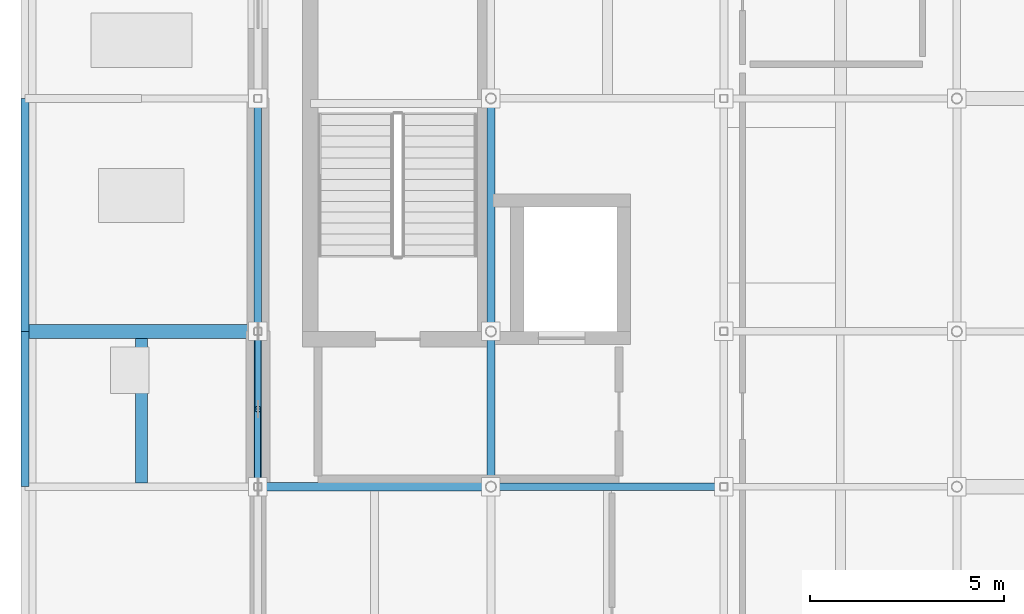
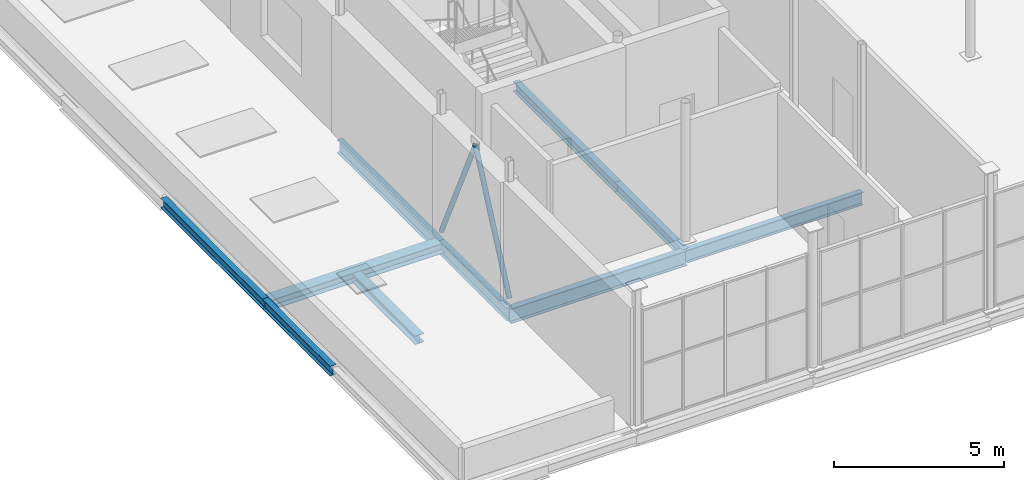
# One storey, part 8 of 27: 10 beams, 2 members.
"""IFC4 building model written with IfcOpenShell, lengths in metres."""

import ifcopenshell
import ifcopenshell.guid

model = None  # the IFC model being written
_history = None  # IfcOwnerHistory: only IFC2X3 demands one
_inside = {}  # id of a spatial element -> (the spatial element, [elements in it])
_under = {}  # id of a project, library or spatial element -> (it, [spatial elements below it])
_declared = {}  # id of a project -> (the project, [libraries it declares])
_typed = {}  # id of a type object -> (the type object, [elements of that type])
_made_of = {}  # id of a material, layer set ... -> (it, [elements and type objects made of it])


def new_model(schema):
    """Start an empty IFC model of exactly this schema.

    Asked for "IFC4X3", IfcOpenShell would pick the latest addendum, in which some entities
    have other attributes; the version numbers below select the first issue.
    IFC2X3 requires an IfcOwnerHistory on every rooted entity: one is made here for all.
    """
    global model, _history
    if schema == "IFC4X3":
        model = ifcopenshell.file(schema_version=(4, 3, 0, 0))
    else:
        model = ifcopenshell.file(schema=schema)
    _inside.clear()
    _under.clear()
    _declared.clear()
    _typed.clear()
    _made_of.clear()
    _history = None
    if model.schema == "IFC2X3":
        org = make("IfcOrganization", Name="unknown")
        user = make(
            "IfcPersonAndOrganization",
            ThePerson=make("IfcPerson", FamilyName="unknown"),
            TheOrganization=org,
        )
        app = make(
            "IfcApplication",
            ApplicationDeveloper=org,
            Version="unknown",
            ApplicationFullName="unknown",
            ApplicationIdentifier="unknown",
        )
        _history = make(
            "IfcOwnerHistory",
            OwningUser=user,
            OwningApplication=app,
            ChangeAction="ADDED",
            CreationDate=0,
        )
    return model


def make(cls, **values):
    """One entity of the class cls with the attributes given. An attribute that is None is left unset."""
    return model.create_entity(
        cls, **{name: value for name, value in values.items() if value is not None}
    )


def rooted(cls, **values):
    """An entity with a GlobalId (a new one), such as an element, a storey or a relation."""
    return make(cls, GlobalId=ifcopenshell.guid.new(), OwnerHistory=_history, **values)


def si_unit(unit_type, name, prefix=None):
    """IfcSIUnit, for example si_unit("LENGTHUNIT", "METRE", prefix="MILLI")."""
    return make("IfcSIUnit", UnitType=unit_type, Prefix=prefix, Name=name)


def assignment(units):
    """IfcUnitAssignment: the units of a project."""
    return None if units is None else make("IfcUnitAssignment", Units=units)


def point(xyz):
    """IfcCartesianPoint."""
    return None if xyz is None else make("IfcCartesianPoint", Coordinates=xyz)


def direction(xyz):
    """IfcDirection."""
    return None if xyz is None else make("IfcDirection", DirectionRatios=xyz)


def frame(location, z_axis=None, x_axis=None):
    """IfcAxis2Placement3D, a coordinate frame: its origin and axes. An axis left out is left unset."""
    return make(
        "IfcAxis2Placement3D",
        Location=point(location),
        Axis=direction(z_axis),
        RefDirection=direction(x_axis),
    )


def frame_2d(location, x_axis=None):
    """IfcAxis2Placement2D, a coordinate frame in the plane: its origin and x axis."""
    return make(
        "IfcAxis2Placement2D", Location=point(location), RefDirection=direction(x_axis)
    )


def origin():
    """The frame at (0, 0, 0) with its axes left unset."""
    return frame((0.0, 0.0, 0.0))


def origin_2d():
    """The frame at (0, 0) in the plane with its x axis left unset."""
    return frame_2d((0.0, 0.0))


def place(relative_to, where):
    """IfcLocalPlacement: puts the frame where relative to a parent placement (None: the world)."""
    return make(
        "IfcLocalPlacement", PlacementRelTo=relative_to, RelativePlacement=where
    )


def context(
    kind, dimensions, precision=None, world=None, true_north=None, identifier=None
):
    """IfcGeometricRepresentationContext, for example the 3D "Model" context."""
    return make(
        "IfcGeometricRepresentationContext",
        ContextIdentifier=identifier,
        ContextType=kind,
        CoordinateSpaceDimension=dimensions,
        Precision=precision,
        WorldCoordinateSystem=world,
        TrueNorth=true_north,
    )


def subcontext(parent, identifier, kind, view, scale=None):
    """IfcGeometricRepresentationSubContext, for example "Body" below "Model"."""
    return make(
        "IfcGeometricRepresentationSubContext",
        ContextIdentifier=identifier,
        ContextType=kind,
        ParentContext=parent,
        TargetScale=scale,
        TargetView=view,
    )


def project(units=None, contexts=None):
    """IfcProject with its units and contexts."""
    return rooted(
        "IfcProject",
        Name="project",
        RepresentationContexts=contexts,
        UnitsInContext=assignment(units),
    )


def spatial(cls, under=None, at=None, **own):
    """A site, building, storey or space (cls), placed at a placement, below another one or the project."""
    s = rooted(cls, ObjectPlacement=at, **own)
    if under is not None:
        _under.setdefault(under.id(), (under, []))[1].append(s)
    return s


def profile(cls, at=None, kind="AREA", **sizes):
    """A parametric profile (cls). Its sizes go by their IFC names, for example OverallWidth=200.0."""
    return make(cls, ProfileType=kind, Position=at, **sizes)


def hollow_circle(**sizes):
    """IfcCircleHollowProfileDef."""
    return profile("IfcCircleHollowProfileDef", **sizes)


def i_section(**sizes):
    """IfcIShapeProfileDef."""
    return profile("IfcIShapeProfileDef", **sizes)


def extrude(swept, where, along, depth):
    """IfcExtrudedAreaSolid: the profile swept, set in the frame where, extruded along a direction by depth."""
    return make(
        "IfcExtrudedAreaSolid",
        SweptArea=swept,
        Position=where,
        ExtrudedDirection=direction(along),
        Depth=depth,
    )


def shape(context_of_items, identifier, shape_type, items):
    """IfcShapeRepresentation: the items that make up one representation, for example the "Body"."""
    return make(
        "IfcShapeRepresentation",
        ContextOfItems=context_of_items,
        RepresentationIdentifier=identifier,
        RepresentationType=shape_type,
        Items=items,
    )


def material(Name=None, Category=None):
    """IfcMaterial."""
    return make("IfcMaterial", Name=Name, Category=Category)


def material_profile(
    of_material, cross_section, Name=None, Category=None, Priority=None
):
    """IfcMaterialProfile: a cross section and its material."""
    return make(
        "IfcMaterialProfile",
        Name=Name,
        Material=of_material,
        Profile=cross_section,
        Priority=Priority,
        Category=Category,
    )


def profile_set(profiles, Name=None, composite=None):
    """IfcMaterialProfileSet."""
    return make(
        "IfcMaterialProfileSet",
        Name=Name,
        MaterialProfiles=profiles,
        CompositeProfile=composite,
    )


def made_of(thing, what):
    """Note that an element or type object is made of a material, layer set ...; save() writes the relation."""
    if what is not None:
        _made_of.setdefault(what.id(), (what, []))[1].append(thing)
    return thing


def type_object(cls, material=None, **own):
    """A type object (cls), such as IfcWallType, which elements share."""
    return made_of(rooted(cls, **own), material)


def element(
    cls,
    number,
    at=None,
    inside=None,
    cuts=None,
    type_object=None,
    material=None,
    context=None,
    identifier="Body",
    shape_type=None,
    held_by="IfcProductDefinitionShape",
    body=None,
    shapes=None,
    **own,
):
    """One element of the class cls, such as IfcWall. Its Tag is "e" and its number.

    at: its placement. inside: the storey or other place that contains it. cuts: it is an
    opening in that element (IfcRelVoidsElement). A single representation is given by context,
    identifier, shape_type and body (its items); several are given by shapes. held_by: the class
    of the entity that holds the representations. save() writes the other relations.
    """
    e = rooted(cls, Tag="e%d" % number, ObjectPlacement=at, **own)
    if body is not None:
        shapes = [shape(context, identifier, shape_type, body)]
    if shapes is not None:
        e.Representation = make(held_by, Representations=shapes)
    if inside is not None:
        _inside.setdefault(inside.id(), (inside, []))[1].append(e)
    if cuts is not None:
        rooted(
            "IfcRelVoidsElement", RelatingBuildingElement=cuts, RelatedOpeningElement=e
        )
    if type_object is not None:
        _typed.setdefault(type_object.id(), (type_object, []))[1].append(e)
    return made_of(e, material)


def aggregate(whole, parts):
    """IfcRelAggregates: a whole, such as a stair, and the parts it consists of."""
    return rooted("IfcRelAggregates", RelatingObject=whole, RelatedObjects=parts)


def save(model, path):
    """Write the relations noted so far, then the file.

    IfcRelAggregates (storeys below a building ...), IfcRelContainedInSpatialStructure (elements
    in a storey), IfcRelDefinesByType, IfcRelAssociatesMaterial and IfcRelDeclares: one each for
    every whole, place, type object, material and project.
    """
    for whole, parts in _under.values():
        aggregate(whole, parts)
    for where, things in _inside.values():
        rooted(
            "IfcRelContainedInSpatialStructure",
            RelatedElements=things,
            RelatingStructure=where,
        )
    for kind, things in _typed.values():
        rooted("IfcRelDefinesByType", RelatedObjects=things, RelatingType=kind)
    for what, things in _made_of.values():
        rooted("IfcRelAssociatesMaterial", RelatedObjects=things, RelatingMaterial=what)
    for by, libraries in _declared.values():
        rooted("IfcRelDeclares", RelatingContext=by, RelatedDefinitions=libraries)
    model.write(path)


model = new_model("IFC4")

# Units and contexts
model_context = context("Model", 3, precision=1e-05, world=origin(), true_north=direction((0.0, 1.0)))
body_context = subcontext(model_context, "Body", "Model", "MODEL_VIEW")
ifc_project = project(units=[si_unit("LENGTHUNIT", "METRE"), si_unit("AREAUNIT", "SQUARE_METRE"), si_unit("VOLUMEUNIT", "CUBIC_METRE"), si_unit("PLANEANGLEUNIT", "RADIAN"), si_unit("MASSUNIT", "GRAM", prefix="KILO")], contexts=[model_context])

# Site, building, storey
site_placement = place(None, origin())
site = spatial("IfcSite", under=ifc_project, at=site_placement, CompositionType="ELEMENT")
building_placement = place(site_placement, origin())
building = spatial("IfcBuilding", under=site, at=building_placement, Name="Verrall Gate Interchange", CompositionType="ELEMENT")
storey_placement = place(building_placement, frame((0.0, 0.0, 23.60009765625)))
storey = spatial("IfcBuildingStorey", under=building, at=storey_placement, Name="L06", CompositionType="ELEMENT", Elevation=23.60009765625)

# Beams
ifc_material_1 = material(Name="Structural Steel CSA G40.21 350W", Category="steel")
ifc_material_profile_1 = material_profile(ifc_material_1, i_section(OverallWidth=0.2109375, OverallDepth=0.5390625, WebThickness=0.01171875, FlangeThickness=0.018798828125, FilletRadius=0.013916015625, at=origin_2d()), Name="W530x109")
ifc_profile_set_1 = profile_set([ifc_material_profile_1], Name="Structural Steel CSA G40.21 350W")
beam_type_1 = type_object("IfcBeamType", Name="B-10 Structural Beam W530x109", PredefinedType="BEAM", material=ifc_profile_set_1)
beam_1_placement = place(storey_placement, frame((6.0, 12.0, -0.599609375), z_axis=(1.0, 0.0, 0.0), x_axis=(0.0, 1.0, 0.0)))
element("IfcBeam", 1, at=beam_1_placement, inside=storey, type_object=beam_type_1, Name="L06 Girder BM-L06-3060 (B-10)", PredefinedType="BEAM", context=body_context, shape_type="SweptSolid", body=[
    extrude(i_section(OverallWidth=0.2109375, OverallDepth=0.5390625, WebThickness=0.01171875, FlangeThickness=0.018798828125, FilletRadius=0.013916015625, at=origin_2d()), origin(), (0.0, 0.0, 1.0), 6.0),
])
ifc_material_2 = material(Name="Structural Steel CSA G40.21 350W", Category="steel")
ifc_material_profile_2 = material_profile(ifc_material_2, i_section(OverallWidth=0.19189453125, OverallDepth=0.462890625, WebThickness=0.010498046875, FlangeThickness=0.017578125, FilletRadius=0.012939453125, at=origin_2d()), Name="W460x89")
ifc_profile_set_2 = profile_set([ifc_material_profile_2], Name="Structural Steel CSA G40.21 350W")
beam_type_2 = type_object("IfcBeamType", Name="B-11 Structural Beam W460x89", PredefinedType="BEAM", material=ifc_profile_set_2)
beam_2_placement = place(storey_placement, frame((12.0, 12.0, -0.5615234375), z_axis=(1.0, 0.0, 0.0), x_axis=(0.0, 1.0, 0.0)))
element("IfcBeam", 2, at=beam_2_placement, inside=storey, type_object=beam_type_2, Name="L06 Girder BM-L06-3061 (B-11)", PredefinedType="BEAM", context=body_context, shape_type="SweptSolid", body=[
    extrude(i_section(OverallWidth=0.19189453125, OverallDepth=0.462890625, WebThickness=0.010498046875, FlangeThickness=0.017578125, FilletRadius=0.012939453125, at=origin_2d()), origin(), (0.0, 0.0, 1.0), 6.0),
])
beam_3_placement = place(storey_placement, frame((6.0, 12.0, -0.5615234375), z_axis=(0.0, 1.0, 0.0), x_axis=(-1.0, 0.0, 0.0)))
element("IfcBeam", 3, at=beam_3_placement, inside=storey, type_object=beam_type_2, Name="L06 Girder BM-L06-3125 (B-11)", PredefinedType="BEAM", context=body_context, shape_type="SweptSolid", body=[
    extrude(i_section(OverallWidth=0.19189453125, OverallDepth=0.462890625, WebThickness=0.010498046875, FlangeThickness=0.017578125, FilletRadius=0.012939453125, at=origin_2d()), origin(), (0.0, 0.0, 1.0), 4.0),
])
beam_4_placement = place(storey_placement, frame((6.0, 16.0, -0.5615234375), z_axis=(0.0, 1.0, 0.0), x_axis=(-1.0, 0.0, 0.0)))
element("IfcBeam", 4, at=beam_4_placement, inside=storey, type_object=beam_type_2, Name="L06 Girder BM-L06-3126 (B-11)", PredefinedType="BEAM", context=body_context, shape_type="SweptSolid", body=[
    extrude(i_section(OverallWidth=0.19189453125, OverallDepth=0.462890625, WebThickness=0.010498046875, FlangeThickness=0.017578125, FilletRadius=0.012939453125, at=origin_2d()), origin(), (0.0, 0.0, 1.0), 6.0),
])
ifc_material_3 = material(Name="Structural Steel CSA G40.21 350W", Category="steel")
ifc_material_profile_3 = material_profile(ifc_material_3, i_section(OverallWidth=0.368896484375, OverallDepth=0.35595703125, WebThickness=0.01123046875, FlangeThickness=0.01806640625, FilletRadius=0.014892578125, at=origin_2d()), Name="W360x134")
ifc_profile_set_3 = profile_set([ifc_material_profile_3], Name="Structural Steel CSA G40.21 350W")
beam_type_3 = type_object("IfcBeamType", Name="B-13 Structural Beam W360x134", PredefinedType="BEAM", material=ifc_profile_set_3)
beam_5_placement = place(storey_placement, frame((0.0, 16.0, -0.508056640625), z_axis=(1.0, 0.0, 0.0), x_axis=(0.0, 1.0, 0.0)))
element("IfcBeam", 5, at=beam_5_placement, inside=storey, type_object=beam_type_3, Name="L06 Girder BM-L06-3065 (B-13)", PredefinedType="BEAM", context=body_context, shape_type="SweptSolid", body=[
    extrude(i_section(OverallWidth=0.368896484375, OverallDepth=0.35595703125, WebThickness=0.01123046875, FlangeThickness=0.01806640625, FilletRadius=0.014892578125, at=origin_2d()), origin(), (0.0, 0.0, 1.0), 6.0),
])
ifc_material_4 = material(Name="Structural Steel CSA G40.21 350W", Category="steel")
ifc_material_profile_4 = material_profile(ifc_material_4, i_section(OverallWidth=0.205078125, OverallDepth=0.35400390625, WebThickness=0.009521484375, FlangeThickness=0.016845703125, FilletRadius=0.012939453125, at=origin_2d()), Name="W360x79")
ifc_profile_set_4 = profile_set([ifc_material_profile_4], Name="Structural Steel CSA G40.21 350W")
beam_type_4 = type_object("IfcBeamType", Name="B-14 Structural Beam W360x79", PredefinedType="BEAM", material=ifc_profile_set_4)
beam_6_placement = place(storey_placement, frame((0.0, 12.0, -0.507080078125), z_axis=(0.0, 1.0, 0.0), x_axis=(-1.0, 0.0, 0.0)))
element("IfcBeam", 6, at=beam_6_placement, inside=storey, type_object=beam_type_4, Name="L06 Girder BM-L06-3114 (B-14)", PredefinedType="BEAM", context=body_context, shape_type="SweptSolid", body=[
    extrude(i_section(OverallWidth=0.205078125, OverallDepth=0.35400390625, WebThickness=0.009521484375, FlangeThickness=0.016845703125, FilletRadius=0.012939453125, at=origin_2d()), origin(), (0.0, 0.0, 1.0), 4.0),
])
beam_7_placement = place(storey_placement, frame((0.0, 16.0, -0.507080078125), z_axis=(0.0, 1.0, 0.0), x_axis=(-1.0, 0.0, 0.0)))
element("IfcBeam", 7, at=beam_7_placement, inside=storey, type_object=beam_type_4, Name="L06 Girder BM-L06-3115 (B-14)", PredefinedType="BEAM", context=body_context, shape_type="SweptSolid", body=[
    extrude(i_section(OverallWidth=0.205078125, OverallDepth=0.35400390625, WebThickness=0.009521484375, FlangeThickness=0.016845703125, FilletRadius=0.012939453125, at=origin_2d()), origin(), (0.0, 0.0, 1.0), 6.0),
])
beam_8_placement = place(storey_placement, frame((12.0, 12.0, -0.507080078125), z_axis=(0.0, 1.0, 0.0), x_axis=(-1.0, 0.0, 0.0)))
element("IfcBeam", 8, at=beam_8_placement, inside=storey, type_object=beam_type_4, Name="L06 Girder BM-L06-3135 (B-14)", PredefinedType="BEAM", context=body_context, shape_type="SweptSolid", body=[
    extrude(i_section(OverallWidth=0.205078125, OverallDepth=0.35400390625, WebThickness=0.009521484375, FlangeThickness=0.016845703125, FilletRadius=0.012939453125, at=origin_2d()), origin(), (0.0, 0.0, 1.0), 4.0),
])
beam_9_placement = place(storey_placement, frame((12.0, 16.0, -0.507080078125), z_axis=(0.0, 1.0, 0.0), x_axis=(-1.0, 0.0, 0.0)))
element("IfcBeam", 9, at=beam_9_placement, inside=storey, type_object=beam_type_4, Name="L06 Girder BM-L06-3136 (B-14)", PredefinedType="BEAM", context=body_context, shape_type="SweptSolid", body=[
    extrude(i_section(OverallWidth=0.205078125, OverallDepth=0.35400390625, WebThickness=0.009521484375, FlangeThickness=0.016845703125, FilletRadius=0.012939453125, at=origin_2d()), origin(), (0.0, 0.0, 1.0), 6.0),
])

# Members
ifc_material_5 = material(Name="Structural Steel CSA G40.21 350W", Category="steel")
ifc_material_profile_5 = material_profile(ifc_material_5, hollow_circle(Radius=0.084228515625, WallThickness=0.00634765625, at=origin_2d()), Name="HSS168x6.4")
ifc_profile_set_5 = profile_set([ifc_material_profile_5], Name="Structural Steel CSA G40.21 350W")
member_type = type_object("IfcMemberType", Name="BR-03 Diagonal Brace HSS168x6.4", PredefinedType="BRACE", material=ifc_profile_set_5)
for number, where, z_axis, x_axis, name in (
    (10, (6.0, 12.0, 0.0), (0.0, 0.422555052535, 0.90633725929), (-1.0, 0.0, 0.0), "Chevron Brace CBF4 L06 Leg A"),
    (11, (6.0, 16.0, 0.0), (0.0, -0.422555052535, 0.90633725929), (1.0, 0.0, 0.0), "Chevron Brace CBF4 L06 Leg B"),
):
    element("IfcMember", number, at=place(storey_placement, frame(where, z_axis=z_axis, x_axis=x_axis)), inside=storey, type_object=member_type, Name=name, PredefinedType="BRACE", context=body_context, shape_type="SweptSolid", body=[
        extrude(hollow_circle(Radius=0.084228515625, WallThickness=0.00634765625, at=origin_2d()), origin(), (0.0, 0.0, 1.0), 4.733154296875),
    ])

# Beam
ifc_material_6 = material(Name="Structural Steel CSA G40.21 350W", Category="steel")
ifc_material_profile_6 = material_profile(ifc_material_6, i_section(OverallWidth=0.306884765625, OverallDepth=0.31396484375, WebThickness=0.011962890625, FlangeThickness=0.018798828125, FilletRadius=0.013916015625, at=origin_2d()), Name="W310x118")
ifc_profile_set_6 = profile_set([ifc_material_profile_6], Name="Structural Steel CSA G40.21 350W")
beam_type_5 = type_object("IfcBeamType", Name="J-02 Floor Joist W310x118", PredefinedType="JOIST", material=ifc_profile_set_6)
beam_10_placement = place(storey_placement, frame((3.0, 12.1025390625, -0.487060546875), z_axis=(0.0, 1.0, 0.0), x_axis=(-1.0, 0.0, 0.0)))
element("IfcBeam", 12, at=beam_10_placement, inside=storey, type_object=beam_type_5, Name="L06 Secondary Floor Joist JST-L06-3189", PredefinedType="JOIST", context=body_context, shape_type="SweptSolid", body=[
    extrude(i_section(OverallWidth=0.306884765625, OverallDepth=0.31396484375, WebThickness=0.011962890625, FlangeThickness=0.018798828125, FilletRadius=0.013916015625, at=origin_2d()), origin(), (0.0, 0.0, 1.0), 3.712890625),
])

save(model, "model.ifc")
